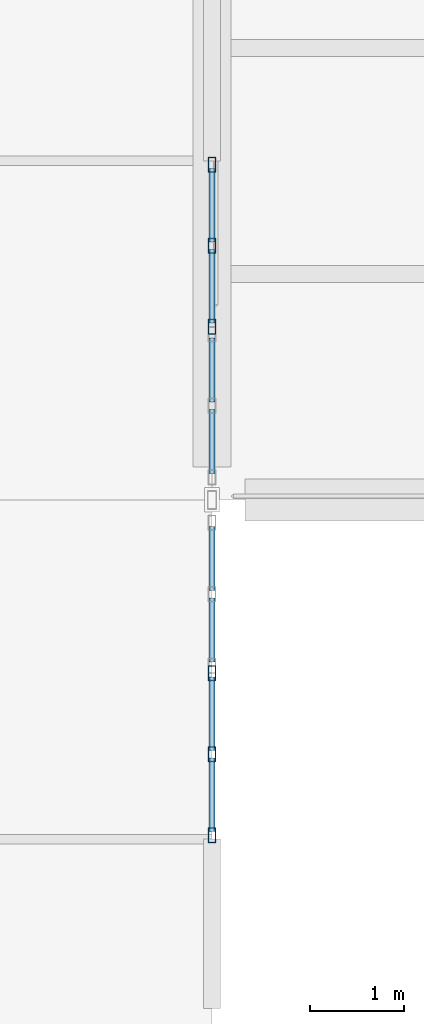
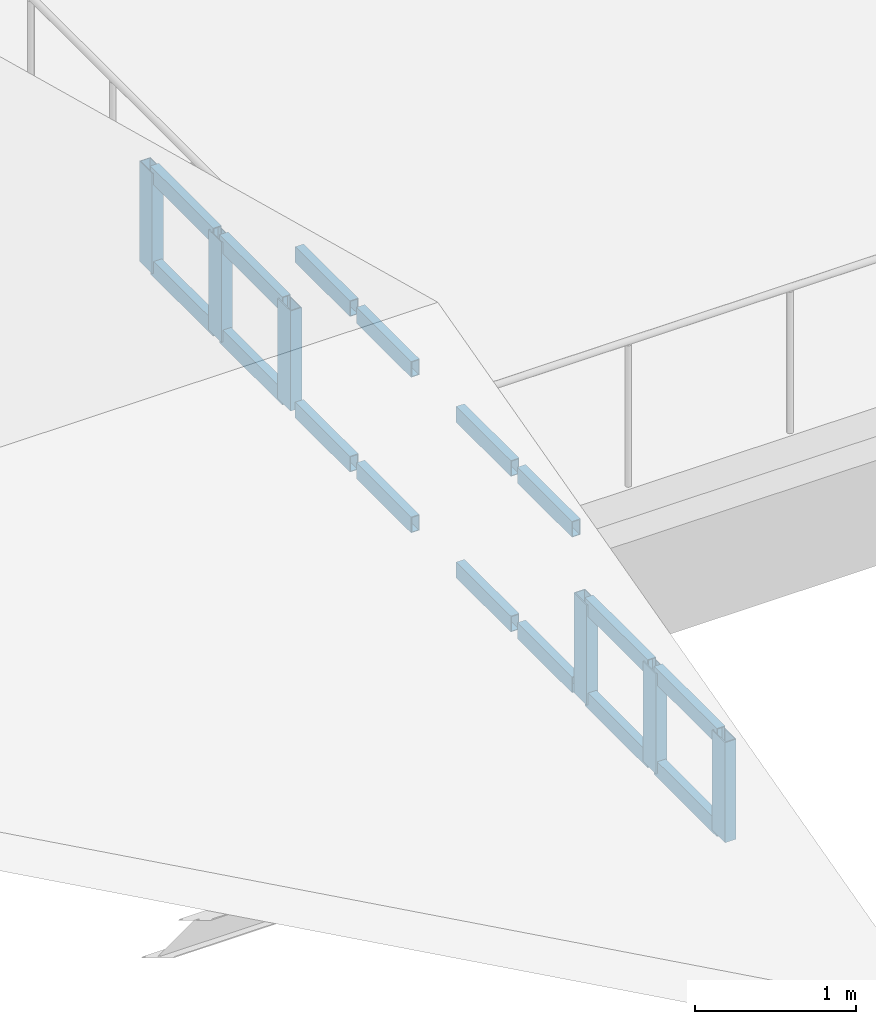
# One storey, part 55 of 105: 22 members, 4 elements without a shape of their own.
"""IFC4 building model written with IfcOpenShell, lengths in metres."""

from ifc_helpers import new_model, si_unit, direction, frame, origin, origin_2d, place, context, subcontext, project, spatial, hollow_rectangle, extrude, material, layer, layer_set, material_profile, profile_set, type_object, element, aggregate, save


model = new_model("IFC4")

# Units and contexts
model_context = context("Model", 3, precision=1e-05, world=origin(), true_north=direction((0.0, 1.0)))
body_context = subcontext(model_context, "Body", "Model", "MODEL_VIEW")
ifc_project = project(units=[si_unit("LENGTHUNIT", "METRE"), si_unit("AREAUNIT", "SQUARE_METRE"), si_unit("VOLUMEUNIT", "CUBIC_METRE"), si_unit("PLANEANGLEUNIT", "RADIAN"), si_unit("MASSUNIT", "GRAM", prefix="KILO"), si_unit("THERMODYNAMICTEMPERATUREUNIT", "KELVIN"), si_unit("POWERUNIT", "WATT")], contexts=[model_context])

# Site, building, storey
site_placement = place(None, origin())
site = spatial("IfcSite", under=ifc_project, at=site_placement, CompositionType="ELEMENT")
building_placement = place(site_placement, origin())
building = spatial("IfcBuilding", under=site, at=building_placement, Name="Kaldorven Railside Theatre", CompositionType="ELEMENT")
storey_placement = place(building_placement, frame((0.0, 0.0, 9.89990234375)))
storey = spatial("IfcBuildingStorey", under=building, at=storey_placement, Name="L02", CompositionType="ELEMENT", Elevation=9.89990234375)

# Curtain wall, members
ifc_material_1 = material(Name="Low-E laminated solar-control glass", Category="glass")
ifc_layer_1 = layer(ifc_material_1, 0.159912109375, Name="Low-E laminated solar-control glass")
ifc_layer_set_1 = layer_set([ifc_layer_1], Name="Low-E laminated solar-control glass")
curtain_wall_type_1 = type_object("IfcCurtainWallType", Name="CWT-60", PredefinedType="USERDEFINED", material=ifc_layer_set_1)
curtain_wall_1_placement = place(storey_placement, origin())
curtain_wall_1 = element("IfcCurtainWall", 1, at=curtain_wall_1_placement, inside=storey, type_object=curtain_wall_type_1, Name="Black-Box East Gable Clerestory CWG-146", ObjectType="FLUTED GLAZING", PredefinedType="USERDEFINED")
ifc_material_2 = material(Name="Anodised bronze aluminium", Category="aluminium")
ifc_material_profile_1 = material_profile(ifc_material_2, hollow_rectangle(XDim=0.080078125, YDim=0.159912109375, WallThickness=0.00634765625, at=origin_2d()), Name="RHS 160x80x6.3")
ifc_profile_set_1 = profile_set([ifc_material_profile_1], Name="Anodised bronze aluminium")
member_type_1 = type_object("IfcMemberType", Name="CWM-160", PredefinedType="MULLION", material=ifc_profile_set_1)
member_1_placement = place(storey_placement, frame((44.0, 66.0400390625, 0.02001953125), z_axis=(0.0, 0.0, 1.0), x_axis=(-1.0, 0.0, 0.0)))
member_1 = element("IfcMember", 2, at=member_1_placement, type_object=member_type_1, Name="CWG-146 mullion 1", PredefinedType="MULLION", context=body_context, shape_type="SweptSolid", body=[
    extrude(hollow_rectangle(XDim=0.080078125, YDim=0.159912109375, WallThickness=0.00634765625, at=origin_2d()), origin(), (0.0, 0.0, 1.0), 0.760009765625),
])
member_2_placement = place(storey_placement, frame((44.0, 66.89990234375, 0.02001953125), z_axis=(0.0, 0.0, 1.0), x_axis=(-1.0, 0.0, 0.0)))
member_2 = element("IfcMember", 3, at=member_2_placement, type_object=member_type_1, Name="CWG-146 mullion 2", PredefinedType="MULLION", context=body_context, shape_type="SweptSolid", body=[
    extrude(hollow_rectangle(XDim=0.080078125, YDim=0.159912109375, WallThickness=0.00634765625, at=origin_2d()), origin(), (0.0, 0.0, 1.0), 0.760009765625),
])
member_3_placement = place(storey_placement, frame((44.0, 67.760009765625, 0.02001953125), z_axis=(0.0, 0.0, 1.0), x_axis=(-1.0, 0.0, 0.0)))
member_3 = element("IfcMember", 4, at=member_3_placement, type_object=member_type_1, Name="CWG-146 mullion 3", PredefinedType="MULLION", context=body_context, shape_type="SweptSolid", body=[
    extrude(hollow_rectangle(XDim=0.080078125, YDim=0.159912109375, WallThickness=0.00634765625, at=origin_2d()), origin(), (0.0, 0.0, 1.0), 0.760009765625),
])

curtain_wall_2_placement = place(storey_placement, origin())
curtain_wall_2 = element("IfcCurtainWall", 5, at=curtain_wall_2_placement, inside=storey, type_object=curtain_wall_type_1, Name="Black-Box East Gable Clerestory CWG-149", ObjectType="FLUTED GLAZING", PredefinedType="USERDEFINED")
member_4_placement = place(storey_placement, frame((44.0, 71.43994140625, 0.02001953125), z_axis=(0.0, 0.0, 1.0), x_axis=(-1.0, 0.0, 0.0)))
member_4 = element("IfcMember", 6, at=member_4_placement, type_object=member_type_1, Name="CWG-149 mullion 1", PredefinedType="MULLION", context=body_context, shape_type="SweptSolid", body=[
    extrude(hollow_rectangle(XDim=0.080078125, YDim=0.159912109375, WallThickness=0.00634765625, at=origin_2d()), origin(), (0.0, 0.0, 1.0), 0.760009765625),
])
member_5_placement = place(storey_placement, frame((44.0, 72.300048828125, 0.02001953125), z_axis=(0.0, 0.0, 1.0), x_axis=(-1.0, 0.0, 0.0)))
member_5 = element("IfcMember", 7, at=member_5_placement, type_object=member_type_1, Name="CWG-149 mullion 2", PredefinedType="MULLION", context=body_context, shape_type="SweptSolid", body=[
    extrude(hollow_rectangle(XDim=0.080078125, YDim=0.159912109375, WallThickness=0.00634765625, at=origin_2d()), origin(), (0.0, 0.0, 1.0), 0.760009765625),
])
member_6_placement = place(storey_placement, frame((44.0, 73.159912109375, 0.02001953125), z_axis=(0.0, 0.0, 1.0), x_axis=(-1.0, 0.0, 0.0)))
member_6 = element("IfcMember", 8, at=member_6_placement, type_object=member_type_1, Name="CWG-149 mullion 3", PredefinedType="MULLION", context=body_context, shape_type="SweptSolid", body=[
    extrude(hollow_rectangle(XDim=0.080078125, YDim=0.159912109375, WallThickness=0.00634765625, at=origin_2d()), origin(), (0.0, 0.0, 1.0), 0.760009765625),
])

# Member
ifc_material_profile_2 = material_profile(ifc_material_2, hollow_rectangle(XDim=0.06005859375, YDim=0.1201171875, WallThickness=0.0048828125, at=origin_2d()), Name="RHS 120x60x5")
ifc_profile_set_2 = profile_set([ifc_material_profile_2], Name="Anodised bronze aluminium")
member_type_2 = type_object("IfcMemberType", Name="CWT-120", PredefinedType="USERDEFINED", material=ifc_profile_set_2)
member_7_placement = place(storey_placement, frame((44.0, 66.080078125, 0.050048828125), z_axis=(0.0, 1.0, 0.0), x_axis=(-1.0, 0.0, 0.0)))
member_7 = element("IfcMember", 9, at=member_7_placement, type_object=member_type_2, Name="CWG-146 transom 1.1", ObjectType="TRANSOM", PredefinedType="USERDEFINED", context=body_context, shape_type="SweptSolid", body=[
    extrude(hollow_rectangle(XDim=0.06005859375, YDim=0.1201171875, WallThickness=0.0048828125, at=origin_2d()), origin(), (0.0, 0.0, 1.0), 0.780029296875),
])

member_8_placement = place(storey_placement, frame((44.0, 66.080078125, 0.75), z_axis=(0.0, 1.0, 0.0), x_axis=(-1.0, 0.0, 0.0)))
member_8 = element("IfcMember", 10, at=member_8_placement, type_object=member_type_2, Name="CWG-146 transom 1.2", ObjectType="TRANSOM", PredefinedType="USERDEFINED", context=body_context, shape_type="SweptSolid", body=[
    extrude(hollow_rectangle(XDim=0.06005859375, YDim=0.1201171875, WallThickness=0.0048828125, at=origin_2d()), origin(), (0.0, 0.0, 1.0), 0.780029296875),
])

member_9_placement = place(storey_placement, frame((44.0, 66.93994140625, 0.050048828125), z_axis=(0.0, 1.0, 0.0), x_axis=(-1.0, 0.0, 0.0)))
member_9 = element("IfcMember", 11, at=member_9_placement, type_object=member_type_2, Name="CWG-146 transom 2.1", ObjectType="TRANSOM", PredefinedType="USERDEFINED", context=body_context, shape_type="SweptSolid", body=[
    extrude(hollow_rectangle(XDim=0.06005859375, YDim=0.1201171875, WallThickness=0.0048828125, at=origin_2d()), origin(), (0.0, 0.0, 1.0), 0.780029296875),
])

member_10_placement = place(storey_placement, frame((44.0, 66.93994140625, 0.75), z_axis=(0.0, 1.0, 0.0), x_axis=(-1.0, 0.0, 0.0)))
member_10 = element("IfcMember", 12, at=member_10_placement, type_object=member_type_2, Name="CWG-146 transom 2.2", ObjectType="TRANSOM", PredefinedType="USERDEFINED", context=body_context, shape_type="SweptSolid", body=[
    extrude(hollow_rectangle(XDim=0.06005859375, YDim=0.1201171875, WallThickness=0.0048828125, at=origin_2d()), origin(), (0.0, 0.0, 1.0), 0.780029296875),
])

aggregate(curtain_wall_1, [member_1, member_2, member_3, member_7, member_8, member_9, member_10])

# Curtain wall, members
ifc_layer_2 = layer(ifc_material_1, 0.159912109375, Name="Low-E laminated solar-control glass")
ifc_layer_set_2 = layer_set([ifc_layer_2], Name="Low-E laminated solar-control glass")
curtain_wall_type_2 = type_object("IfcCurtainWallType", Name="CWT-68", PredefinedType="USERDEFINED", material=ifc_layer_set_2)
curtain_wall_3_placement = place(storey_placement, origin())
curtain_wall_3 = element("IfcCurtainWall", 13, at=curtain_wall_3_placement, inside=storey, type_object=curtain_wall_type_2, Name="Black-Box East Gable Clerestory CWG-147", ObjectType="FLUTED GLAZING", PredefinedType="USERDEFINED")
member_11_placement = place(storey_placement, frame((44.0, 67.8798828125, 0.050048828125), z_axis=(0.0, 1.0, 0.0), x_axis=(-1.0, 0.0, 0.0)))
member_11 = element("IfcMember", 14, at=member_11_placement, type_object=member_type_2, Name="CWG-147 transom 1.1", ObjectType="TRANSOM", PredefinedType="USERDEFINED", context=body_context, shape_type="SweptSolid", body=[
    extrude(hollow_rectangle(XDim=0.06005859375, YDim=0.1201171875, WallThickness=0.0048828125, at=origin_2d()), origin(), (0.0, 0.0, 1.0), 0.68017578125),
])
member_12_placement = place(storey_placement, frame((44.0, 67.8798828125, 1.22998046875), z_axis=(0.0, 1.0, 0.0), x_axis=(-1.0, 0.0, 0.0)))
member_12 = element("IfcMember", 15, at=member_12_placement, type_object=member_type_2, Name="CWG-147 transom 1.2", ObjectType="TRANSOM", PredefinedType="USERDEFINED", context=body_context, shape_type="SweptSolid", body=[
    extrude(hollow_rectangle(XDim=0.06005859375, YDim=0.1201171875, WallThickness=0.0048828125, at=origin_2d()), origin(), (0.0, 0.0, 1.0), 0.68017578125),
])
member_13_placement = place(storey_placement, frame((44.0, 68.639892578125, 0.050048828125), z_axis=(0.0, 1.0, 0.0), x_axis=(-1.0, 0.0, 0.0)))
member_13 = element("IfcMember", 16, at=member_13_placement, type_object=member_type_2, Name="CWG-147 transom 2.1", ObjectType="TRANSOM", PredefinedType="USERDEFINED", context=body_context, shape_type="SweptSolid", body=[
    extrude(hollow_rectangle(XDim=0.06005859375, YDim=0.1201171875, WallThickness=0.0048828125, at=origin_2d()), origin(), (0.0, 0.0, 1.0), 0.68017578125),
])
member_14_placement = place(storey_placement, frame((44.0, 68.639892578125, 1.22998046875), z_axis=(0.0, 1.0, 0.0), x_axis=(-1.0, 0.0, 0.0)))
member_14 = element("IfcMember", 17, at=member_14_placement, type_object=member_type_2, Name="CWG-147 transom 2.2", ObjectType="TRANSOM", PredefinedType="USERDEFINED", context=body_context, shape_type="SweptSolid", body=[
    extrude(hollow_rectangle(XDim=0.06005859375, YDim=0.1201171875, WallThickness=0.0048828125, at=origin_2d()), origin(), (0.0, 0.0, 1.0), 0.68017578125),
])
aggregate(curtain_wall_3, [member_11, member_12, member_13, member_14])

curtain_wall_4_placement = place(storey_placement, origin())
curtain_wall_4 = element("IfcCurtainWall", 18, at=curtain_wall_4_placement, inside=storey, type_object=curtain_wall_type_2, Name="Black-Box East Gable Clerestory CWG-148", ObjectType="FLUTED GLAZING", PredefinedType="USERDEFINED")
member_15_placement = place(storey_placement, frame((44.0, 69.8798828125, 0.050048828125), z_axis=(0.0, 1.0, 0.0), x_axis=(-1.0, 0.0, 0.0)))
member_15 = element("IfcMember", 19, at=member_15_placement, type_object=member_type_2, Name="CWG-148 transom 1.1", ObjectType="TRANSOM", PredefinedType="USERDEFINED", context=body_context, shape_type="SweptSolid", body=[
    extrude(hollow_rectangle(XDim=0.06005859375, YDim=0.1201171875, WallThickness=0.0048828125, at=origin_2d()), origin(), (0.0, 0.0, 1.0), 0.68017578125),
])
member_16_placement = place(storey_placement, frame((44.0, 69.8798828125, 1.22998046875), z_axis=(0.0, 1.0, 0.0), x_axis=(-1.0, 0.0, 0.0)))
member_16 = element("IfcMember", 20, at=member_16_placement, type_object=member_type_2, Name="CWG-148 transom 1.2", ObjectType="TRANSOM", PredefinedType="USERDEFINED", context=body_context, shape_type="SweptSolid", body=[
    extrude(hollow_rectangle(XDim=0.06005859375, YDim=0.1201171875, WallThickness=0.0048828125, at=origin_2d()), origin(), (0.0, 0.0, 1.0), 0.68017578125),
])
member_17_placement = place(storey_placement, frame((44.0, 70.639892578125, 0.050048828125), z_axis=(0.0, 1.0, 0.0), x_axis=(-1.0, 0.0, 0.0)))
member_17 = element("IfcMember", 21, at=member_17_placement, type_object=member_type_2, Name="CWG-148 transom 2.1", ObjectType="TRANSOM", PredefinedType="USERDEFINED", context=body_context, shape_type="SweptSolid", body=[
    extrude(hollow_rectangle(XDim=0.06005859375, YDim=0.1201171875, WallThickness=0.0048828125, at=origin_2d()), origin(), (0.0, 0.0, 1.0), 0.68017578125),
])
member_18_placement = place(storey_placement, frame((44.0, 70.639892578125, 1.22998046875), z_axis=(0.0, 1.0, 0.0), x_axis=(-1.0, 0.0, 0.0)))
member_18 = element("IfcMember", 22, at=member_18_placement, type_object=member_type_2, Name="CWG-148 transom 2.2", ObjectType="TRANSOM", PredefinedType="USERDEFINED", context=body_context, shape_type="SweptSolid", body=[
    extrude(hollow_rectangle(XDim=0.06005859375, YDim=0.1201171875, WallThickness=0.0048828125, at=origin_2d()), origin(), (0.0, 0.0, 1.0), 0.68017578125),
])
aggregate(curtain_wall_4, [member_15, member_16, member_17, member_18])

# Member
member_19_placement = place(storey_placement, frame((44.0, 71.47998046875, 0.050048828125), z_axis=(0.0, 1.0, 0.0), x_axis=(-1.0, 0.0, 0.0)))
member_19 = element("IfcMember", 23, at=member_19_placement, type_object=member_type_2, Name="CWG-149 transom 1.1", ObjectType="TRANSOM", PredefinedType="USERDEFINED", context=body_context, shape_type="SweptSolid", body=[
    extrude(hollow_rectangle(XDim=0.06005859375, YDim=0.1201171875, WallThickness=0.0048828125, at=origin_2d()), origin(), (0.0, 0.0, 1.0), 0.780029296875),
])

member_20_placement = place(storey_placement, frame((44.0, 71.47998046875, 0.75), z_axis=(0.0, 1.0, 0.0), x_axis=(-1.0, 0.0, 0.0)))
member_20 = element("IfcMember", 24, at=member_20_placement, type_object=member_type_2, Name="CWG-149 transom 1.2", ObjectType="TRANSOM", PredefinedType="USERDEFINED", context=body_context, shape_type="SweptSolid", body=[
    extrude(hollow_rectangle(XDim=0.06005859375, YDim=0.1201171875, WallThickness=0.0048828125, at=origin_2d()), origin(), (0.0, 0.0, 1.0), 0.780029296875),
])

member_21_placement = place(storey_placement, frame((44.0, 72.340087890625, 0.050048828125), z_axis=(0.0, 1.0, 0.0), x_axis=(-1.0, 0.0, 0.0)))
member_21 = element("IfcMember", 25, at=member_21_placement, type_object=member_type_2, Name="CWG-149 transom 2.1", ObjectType="TRANSOM", PredefinedType="USERDEFINED", context=body_context, shape_type="SweptSolid", body=[
    extrude(hollow_rectangle(XDim=0.06005859375, YDim=0.1201171875, WallThickness=0.0048828125, at=origin_2d()), origin(), (0.0, 0.0, 1.0), 0.780029296875),
])

member_22_placement = place(storey_placement, frame((44.0, 72.340087890625, 0.75), z_axis=(0.0, 1.0, 0.0), x_axis=(-1.0, 0.0, 0.0)))
member_22 = element("IfcMember", 26, at=member_22_placement, type_object=member_type_2, Name="CWG-149 transom 2.2", ObjectType="TRANSOM", PredefinedType="USERDEFINED", context=body_context, shape_type="SweptSolid", body=[
    extrude(hollow_rectangle(XDim=0.06005859375, YDim=0.1201171875, WallThickness=0.0048828125, at=origin_2d()), origin(), (0.0, 0.0, 1.0), 0.780029296875),
])

aggregate(curtain_wall_2, [member_4, member_5, member_6, member_19, member_20, member_21, member_22])

save(model, "model.ifc")
